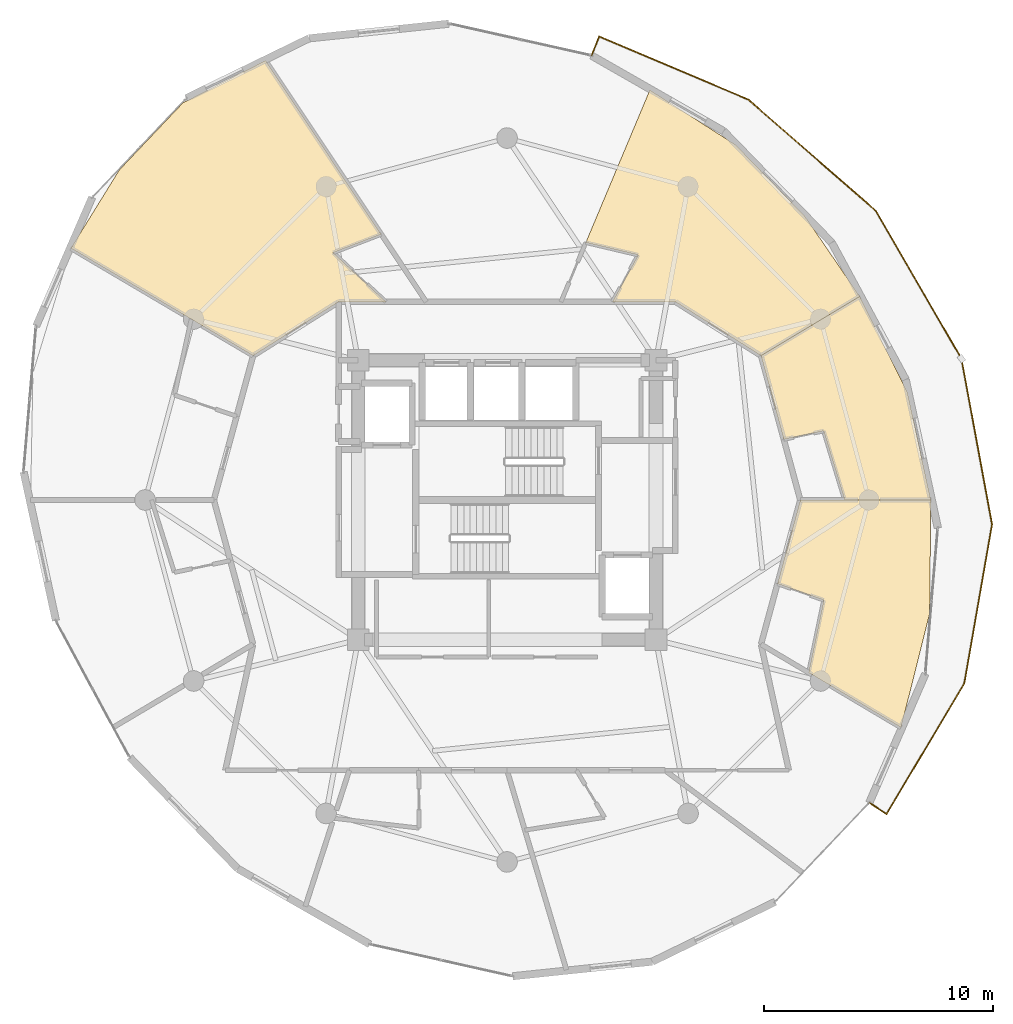
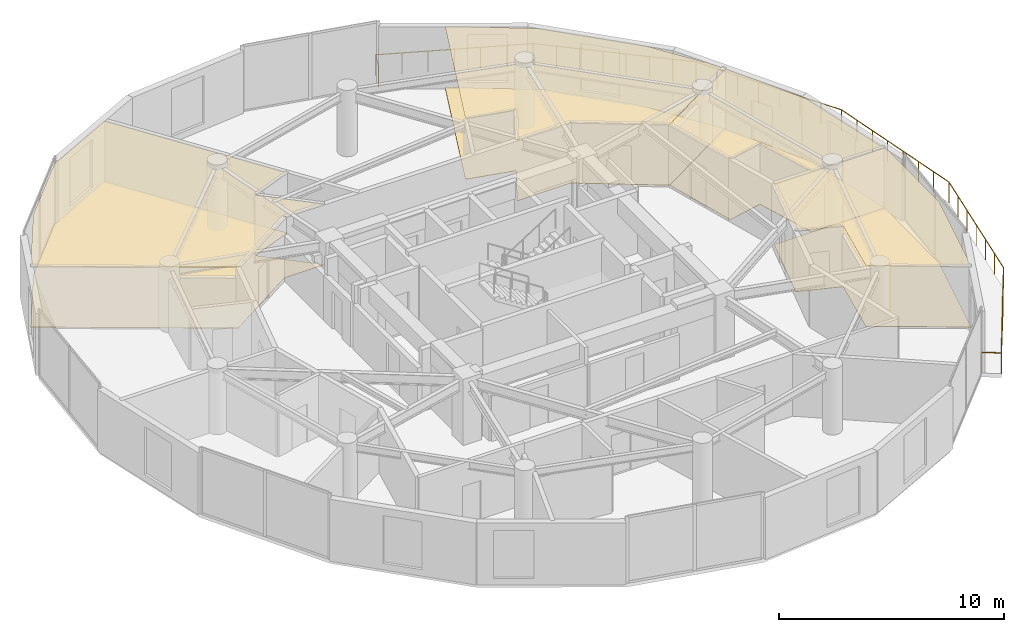
# One storey, part 23 of 23: 8 coverings, 1 railing.
"""IFC4 building model written with IfcOpenShell, lengths in metres."""

from ifc_helpers import new_model, si_unit, direction, frame, origin, origin_2d, place, context, subcontext, project, spatial, polyline, circle, outline, extrude, material, layer, layer_set, type_object, element, save


model = new_model("IFC4")

# Units and contexts
model_context = context("Model", 3, precision=1e-05, world=origin(), true_north=direction((0.0, 1.0)))
body_context = subcontext(model_context, "Body", "Model", "MODEL_VIEW")
ifc_project = project(units=[si_unit("LENGTHUNIT", "METRE"), si_unit("AREAUNIT", "SQUARE_METRE"), si_unit("VOLUMEUNIT", "CUBIC_METRE"), si_unit("PLANEANGLEUNIT", "RADIAN"), si_unit("MASSUNIT", "GRAM", prefix="KILO")], contexts=[model_context])

# Site, building, storey
site_placement = place(None, origin())
site = spatial("IfcSite", under=ifc_project, at=site_placement, CompositionType="ELEMENT")
building_placement = place(site_placement, origin())
building = spatial("IfcBuilding", under=site, at=building_placement, Name="Solvirekh Grand Hotel", CompositionType="ELEMENT")
storey_placement = place(building_placement, frame((0.0, 0.0, 173.199951171875)))
storey = spatial("IfcBuildingStorey", under=building, at=storey_placement, Name="L44", CompositionType="ELEMENT", Elevation=173.199951171875)

# Coverings
ifc_material_1 = material(Name="Acoustic Mineral Ceiling Tile")
ifc_layer_1 = layer(ifc_material_1, 0.02490234375)
ifc_layer_set_1 = layer_set([ifc_layer_1], Name="Acoustic Mineral Ceiling Tile")
covering_type_1 = type_object("IfcCoveringType", Name="Cov_Ceiling_Acoustic", PredefinedType="CEILING", material=ifc_layer_set_1)
covering_1_placement = place(storey_placement, frame((0.0, 0.0, 3.31005859375)))
element("IfcCovering", 1, at=covering_1_placement, inside=storey, type_object=covering_type_1, Name="L44 Deluxe Guestroom 4601 acoustic ceiling", PredefinedType="CEILING", context=body_context, shape_type="SweptSolid", body=[
    extrude(outline(polyline([(2.35205078125, 8.64990234375), (3.43896484375, 11.239013671875), (5.721923828125, 10.698974609375), (4.60205078125, 8.64990234375), (7.35009765625, 8.64990234375), (11.0849609375, 6.300048828125), (15.39404296875, 8.887939453125), (13.0029296875, 12.382080078125), (9.986083984375, 15.4951171875), (6.23291015625, 17.89794921875), (2.35205078125, 8.64990234375)])), origin(), (0.0, 0.0, 1.0), 0.01806640625),
])
covering_2_placement = place(storey_placement, frame((0.0, 0.0, 3.31005859375)))
element("IfcCovering", 2, at=covering_2_placement, inside=storey, type_object=covering_type_1, Name="L44 Deluxe Guestroom 4602 acoustic ceiling", PredefinedType="CEILING", context=body_context, shape_type="SweptSolid", body=[
    extrude(outline(polyline([(-5.285888671875, 8.64990234375), (-7.591064453125, 10.7958984375), (-5.492919921875, 11.60009765625), (-10.5458984375, 19.18408203125), (-14.14306640625, 17.342041015625), (-16.927001953125, 14.406005859375), (-19.037109375, 10.990966796875), (-11.0849609375, 6.300048828125), (-7.35009765625, 8.64990234375), (-5.285888671875, 8.64990234375)])), origin(), (0.0, 0.0, 1.0), 0.01806640625),
])
covering_3_placement = place(storey_placement, frame((0.0, 0.0, 3.31005859375)))
element("IfcCovering", 3, at=covering_3_placement, inside=storey, type_object=covering_type_1, Name="L44 Deluxe Guestroom 4605 acoustic ceiling", PredefinedType="CEILING", context=body_context, shape_type="SweptSolid", body=[
    extrude(outline(polyline([(13.824951171875, -4.3701171875), (13.1640625, -7.533935546875), (17.198974609375, -9.929931640625), (18.447021484375, -4.943115234375), (18.4990234375, 0.0), (12.800048828125, 0.0), (11.804931640625, -3.654052734375), (13.824951171875, -4.3701171875)])), origin(), (0.0, 0.0, 1.0), 0.01806640625),
])
covering_4_placement = place(storey_placement, frame((0.0, 0.0, 3.31005859375)))
element("IfcCovering", 4, at=covering_4_placement, inside=storey, type_object=covering_type_1, Name="L44 Deluxe Guestroom 4606 acoustic ceiling", PredefinedType="CEILING", context=body_context, shape_type="SweptSolid", body=[
    extrude(outline(polyline([(13.819091796875, 3.01611328125), (14.738037109375, 0.0), (18.4990234375, 0.0), (17.48193359375, 4.68408203125), (15.39404296875, 8.887939453125), (11.0849609375, 6.300048828125), (12.080078125, 2.64599609375), (13.819091796875, 3.01611328125)])), origin(), (0.0, 0.0, 1.0), 0.01806640625),
])
ifc_material_2 = material(Name="Porcelain Stoneware Flooring", Category="masonry")
ifc_layer_2 = layer(ifc_material_2, 0.030029296875)
ifc_layer_set_2 = layer_set([ifc_layer_2], Name="Porcelain Stoneware Flooring")
covering_type_2 = type_object("IfcCoveringType", Name="Cov_Floor_Stone", PredefinedType="FLOORING", material=ifc_layer_set_2)
covering_5_placement = place(storey_placement, origin())
element("IfcCovering", 5, at=covering_5_placement, inside=storey, type_object=covering_type_2, Name="L44 Deluxe Guestroom 4601 polished granite flooring", PredefinedType="FLOORING", context=body_context, shape_type="SweptSolid", body=[
    extrude(outline(polyline([(2.35205078125, 8.64990234375), (3.43896484375, 11.239013671875), (5.721923828125, 10.698974609375), (4.60205078125, 8.64990234375), (7.35009765625, 8.64990234375), (11.0849609375, 6.300048828125), (15.39404296875, 8.887939453125), (13.0029296875, 12.382080078125), (9.986083984375, 15.4951171875), (6.23291015625, 17.89794921875), (2.35205078125, 8.64990234375)])), origin(), (0.0, 0.0, 1.0), 0.02001953125),
])
covering_6_placement = place(storey_placement, origin())
element("IfcCovering", 6, at=covering_6_placement, inside=storey, type_object=covering_type_2, Name="L44 Deluxe Guestroom 4602 polished granite flooring", PredefinedType="FLOORING", context=body_context, shape_type="SweptSolid", body=[
    extrude(outline(polyline([(-5.285888671875, 8.64990234375), (-7.591064453125, 10.7958984375), (-5.492919921875, 11.60009765625), (-10.5458984375, 19.18408203125), (-14.14306640625, 17.342041015625), (-16.927001953125, 14.406005859375), (-19.037109375, 10.990966796875), (-11.0849609375, 6.300048828125), (-7.35009765625, 8.64990234375), (-5.285888671875, 8.64990234375)])), origin(), (0.0, 0.0, 1.0), 0.02001953125),
])
covering_7_placement = place(storey_placement, origin())
element("IfcCovering", 7, at=covering_7_placement, inside=storey, type_object=covering_type_2, Name="L44 Deluxe Guestroom 4605 polished granite flooring", PredefinedType="FLOORING", context=body_context, shape_type="SweptSolid", body=[
    extrude(outline(polyline([(13.824951171875, -4.3701171875), (13.1640625, -7.533935546875), (17.198974609375, -9.929931640625), (18.447021484375, -4.943115234375), (18.4990234375, 0.0), (12.800048828125, 0.0), (11.804931640625, -3.654052734375), (13.824951171875, -4.3701171875)])), origin(), (0.0, 0.0, 1.0), 0.02001953125),
])
covering_8_placement = place(storey_placement, origin())
element("IfcCovering", 8, at=covering_8_placement, inside=storey, type_object=covering_type_2, Name="L44 Deluxe Guestroom 4606 polished granite flooring", PredefinedType="FLOORING", context=body_context, shape_type="SweptSolid", body=[
    extrude(outline(polyline([(13.819091796875, 3.01611328125), (14.738037109375, 0.0), (18.4990234375, 0.0), (17.48193359375, 4.68408203125), (15.39404296875, 8.887939453125), (11.0849609375, 6.300048828125), (12.080078125, 2.64599609375), (13.819091796875, 3.01611328125)])), origin(), (0.0, 0.0, 1.0), 0.02001953125),
])

# Railing
ifc_material_3 = material(Name="Anodized Bronze Aluminium 6063-T6", Category="aluminium")
railing_type = type_object("IfcRailingType", Name="Guard_ExtGlass_1150", PredefinedType="BALUSTRADE", material=ifc_material_3)
railing_placement = place(storey_placement, frame((15.81396484375, -13.212890625, 0.0)))
element("IfcRailing", 9, at=railing_placement, inside=storey, type_object=railing_type, Name="L44 balc perimeter glass balustrade", PredefinedType="BALUSTRADE", context=body_context, shape_type="SweptSolid", body=[
    extrude(circle(Radius=0.02392578125, at=origin_2d()), frame((0.0, 0.0, 1.1259765625), z_axis=(0.835207319197, -0.549935208874, 0.0), x_axis=(0.549935208874, 0.835207319197, 0.0)), (0.0, 0.0, 1.0), 0.900390625),
    extrude(circle(Radius=0.02392578125, at=origin_2d()), frame((0.751953125, -0.4951171875, 1.1259765625), z_axis=(0.511790135665, 0.859110503391, 0.0), x_axis=(-0.859110503391, 0.511790135665, 0.0)), (0.0, 0.0, 1.0), 6.6279296875),
    extrude(circle(Radius=0.02392578125, at=origin_2d()), frame((4.14404296875, 5.198974609375, 1.1259765625), z_axis=(0.172110840588, 0.985077590118, 0.0), x_axis=(-0.985077590118, 0.172110840588, 0.0)), (0.0, 0.0, 1.0), 7.05419921875),
    extrude(circle(Radius=0.02392578125, at=origin_2d()), frame((5.358154296875, 12.14794921875, 1.1259765625), z_axis=(-0.181790922719, 0.983337205854, 0.0), x_axis=(-0.983337205854, -0.181790922719, 0.0)), (0.0, 0.0, 1.0), 7.35546875),
    extrude(circle(Radius=0.02392578125, at=origin_2d()), frame((4.02099609375, 19.380859375, 1.1259765625), z_axis=(-0.501336253249, 0.86525254185, 0.0), x_axis=(-0.86525254185, -0.501336253249, 0.0)), (0.0, 0.0, 1.0), 7.47412109375),
    extrude(circle(Radius=0.02392578125, at=origin_2d()), frame((0.27392578125, 25.847900390625, 1.1259765625), z_axis=(-0.753776511915, 0.657130862222, 0.0), x_axis=(-0.657130862222, -0.753776511915, 0.0)), (0.0, 0.0, 1.0), 7.37890625),
    extrude(circle(Radius=0.02392578125, at=origin_2d()), frame((-5.2880859375, 30.69677734375, 1.1259765625), z_axis=(-0.921023513433, 0.389506980302, 0.0), x_axis=(-0.389506980302, -0.921023513433, 0.0)), (0.0, 0.0, 1.0), 7.06591796875),
    extrude(circle(Radius=0.02392578125, at=origin_2d()), frame((-11.7958984375, 33.448974609375, 1.1259765625), z_axis=(-0.364552752471, -0.931182737526, 0.0), x_axis=(0.931182737526, -0.364552752471, 0.0)), (0.0, 0.0, 1.0), 0.900146484375),
    extrude(circle(Radius=0.02099609375, at=origin_2d()), origin(), (0.0, 0.0, 1.0), 1.101806640625),
    extrude(circle(Radius=0.02099609375, at=origin_2d()), frame((0.751953125, -0.4951171875, 0.0)), (0.0, 0.0, 1.0), 1.101806640625),
    extrude(circle(Radius=0.02099609375, at=origin_2d()), frame((1.3173828125, 0.453857421875, 0.0)), (0.0, 0.0, 1.0), 1.101806640625),
    extrude(circle(Radius=0.02099609375, at=origin_2d()), frame((1.882568359375, 1.40283203125, 0.0)), (0.0, 0.0, 1.0), 1.101806640625),
    extrude(circle(Radius=0.02099609375, at=origin_2d()), frame((2.447998046875, 2.35205078125, 0.0)), (0.0, 0.0, 1.0), 1.101806640625),
    extrude(circle(Radius=0.02099609375, at=origin_2d()), frame((3.013427734375, 3.301025390625, 0.0)), (0.0, 0.0, 1.0), 1.101806640625),
    extrude(circle(Radius=0.02099609375, at=origin_2d()), frame((3.57861328125, 4.25, 0.0)), (0.0, 0.0, 1.0), 1.101806640625),
    extrude(circle(Radius=0.02099609375, at=origin_2d()), frame((4.14404296875, 5.198974609375, 0.0)), (0.0, 0.0, 1.0), 1.101806640625),
    extrude(circle(Radius=0.02099609375, at=origin_2d()), frame((4.346435546875, 6.357177734375, 0.0)), (0.0, 0.0, 1.0), 1.101806640625),
    extrude(circle(Radius=0.02099609375, at=origin_2d()), frame((4.548828125, 7.515380859375, 0.0)), (0.0, 0.0, 1.0), 1.101806640625),
    extrude(circle(Radius=0.02099609375, at=origin_2d()), frame((4.7509765625, 8.67333984375, 0.0)), (0.0, 0.0, 1.0), 1.101806640625),
    extrude(circle(Radius=0.02099609375, at=origin_2d()), frame((4.953369140625, 9.83154296875, 0.0)), (0.0, 0.0, 1.0), 1.101806640625),
    extrude(circle(Radius=0.02099609375, at=origin_2d()), frame((5.15576171875, 10.98974609375, 0.0)), (0.0, 0.0, 1.0), 1.101806640625),
    extrude(circle(Radius=0.02099609375, at=origin_2d()), frame((5.358154296875, 12.14794921875, 0.0)), (0.0, 0.0, 1.0), 1.101806640625),
    extrude(circle(Radius=0.02099609375, at=origin_2d()), frame((5.167236328125, 13.18115234375, 0.0)), (0.0, 0.0, 1.0), 1.101806640625),
    extrude(circle(Radius=0.02099609375, at=origin_2d()), frame((4.97607421875, 14.214599609375, 0.0)), (0.0, 0.0, 1.0), 1.101806640625),
    extrude(circle(Radius=0.02099609375, at=origin_2d()), frame((4.78515625, 15.247802734375, 0.0)), (0.0, 0.0, 1.0), 1.101806640625),
    extrude(circle(Radius=0.02099609375, at=origin_2d()), frame((4.593994140625, 16.281005859375, 0.0)), (0.0, 0.0, 1.0), 1.101806640625),
    extrude(circle(Radius=0.02099609375, at=origin_2d()), frame((4.403076171875, 17.314208984375, 0.0)), (0.0, 0.0, 1.0), 1.101806640625),
    extrude(circle(Radius=0.02099609375, at=origin_2d()), frame((4.2119140625, 18.34765625, 0.0)), (0.0, 0.0, 1.0), 1.101806640625),
    extrude(circle(Radius=0.02099609375, at=origin_2d()), frame((4.02099609375, 19.380859375, 0.0)), (0.0, 0.0, 1.0), 1.101806640625),
    extrude(circle(Radius=0.02099609375, at=origin_2d()), frame((3.485595703125, 20.3046875, 0.0)), (0.0, 0.0, 1.0), 1.101806640625),
    extrude(circle(Radius=0.02099609375, at=origin_2d()), frame((2.950439453125, 21.228515625, 0.0)), (0.0, 0.0, 1.0), 1.101806640625),
    extrude(circle(Radius=0.02099609375, at=origin_2d()), frame((2.4150390625, 22.15234375, 0.0)), (0.0, 0.0, 1.0), 1.101806640625),
    extrude(circle(Radius=0.02099609375, at=origin_2d()), frame((1.8798828125, 23.076416015625, 0.0)), (0.0, 0.0, 1.0), 1.101806640625),
    extrude(circle(Radius=0.02099609375, at=origin_2d()), frame((1.344482421875, 24.000244140625, 0.0)), (0.0, 0.0, 1.0), 1.101806640625),
    extrude(circle(Radius=0.02099609375, at=origin_2d()), frame((0.809326171875, 24.924072265625, 0.0)), (0.0, 0.0, 1.0), 1.101806640625),
    extrude(circle(Radius=0.02099609375, at=origin_2d()), frame((0.27392578125, 25.847900390625, 0.0)), (0.0, 0.0, 1.0), 1.101806640625),
    extrude(circle(Radius=0.02099609375, at=origin_2d()), frame((-0.520751953125, 26.54052734375, 0.0)), (0.0, 0.0, 1.0), 1.101806640625),
    extrude(circle(Radius=0.02099609375, at=origin_2d()), frame((-1.315185546875, 27.2333984375, 0.0)), (0.0, 0.0, 1.0), 1.101806640625),
    extrude(circle(Radius=0.02099609375, at=origin_2d()), frame((-2.10986328125, 27.926025390625, 0.0)), (0.0, 0.0, 1.0), 1.101806640625),
    extrude(circle(Radius=0.02099609375, at=origin_2d()), frame((-2.904296875, 28.61865234375, 0.0)), (0.0, 0.0, 1.0), 1.101806640625),
    extrude(circle(Radius=0.02099609375, at=origin_2d()), frame((-3.698974609375, 29.311279296875, 0.0)), (0.0, 0.0, 1.0), 1.101806640625),
    extrude(circle(Radius=0.02099609375, at=origin_2d()), frame((-4.493408203125, 30.004150390625, 0.0)), (0.0, 0.0, 1.0), 1.101806640625),
    extrude(circle(Radius=0.02099609375, at=origin_2d()), frame((-5.2880859375, 30.69677734375, 0.0)), (0.0, 0.0, 1.0), 1.101806640625),
    extrude(circle(Radius=0.02099609375, at=origin_2d()), frame((-6.372802734375, 31.155517578125, 0.0)), (0.0, 0.0, 1.0), 1.101806640625),
    extrude(circle(Radius=0.02099609375, at=origin_2d()), frame((-7.457275390625, 31.6142578125, 0.0)), (0.0, 0.0, 1.0), 1.101806640625),
    extrude(circle(Radius=0.02099609375, at=origin_2d()), frame((-8.5419921875, 32.07275390625, 0.0)), (0.0, 0.0, 1.0), 1.101806640625),
    extrude(circle(Radius=0.02099609375, at=origin_2d()), frame((-9.626708984375, 32.531494140625, 0.0)), (0.0, 0.0, 1.0), 1.101806640625),
    extrude(circle(Radius=0.02099609375, at=origin_2d()), frame((-10.711181640625, 32.990234375, 0.0)), (0.0, 0.0, 1.0), 1.101806640625),
    extrude(circle(Radius=0.02099609375, at=origin_2d()), frame((-11.7958984375, 33.448974609375, 0.0)), (0.0, 0.0, 1.0), 1.101806640625),
    extrude(circle(Radius=0.02099609375, at=origin_2d()), frame((-12.1240234375, 32.61083984375, 0.0)), (0.0, 0.0, 1.0), 1.101806640625),
])

save(model, "model.ifc")
